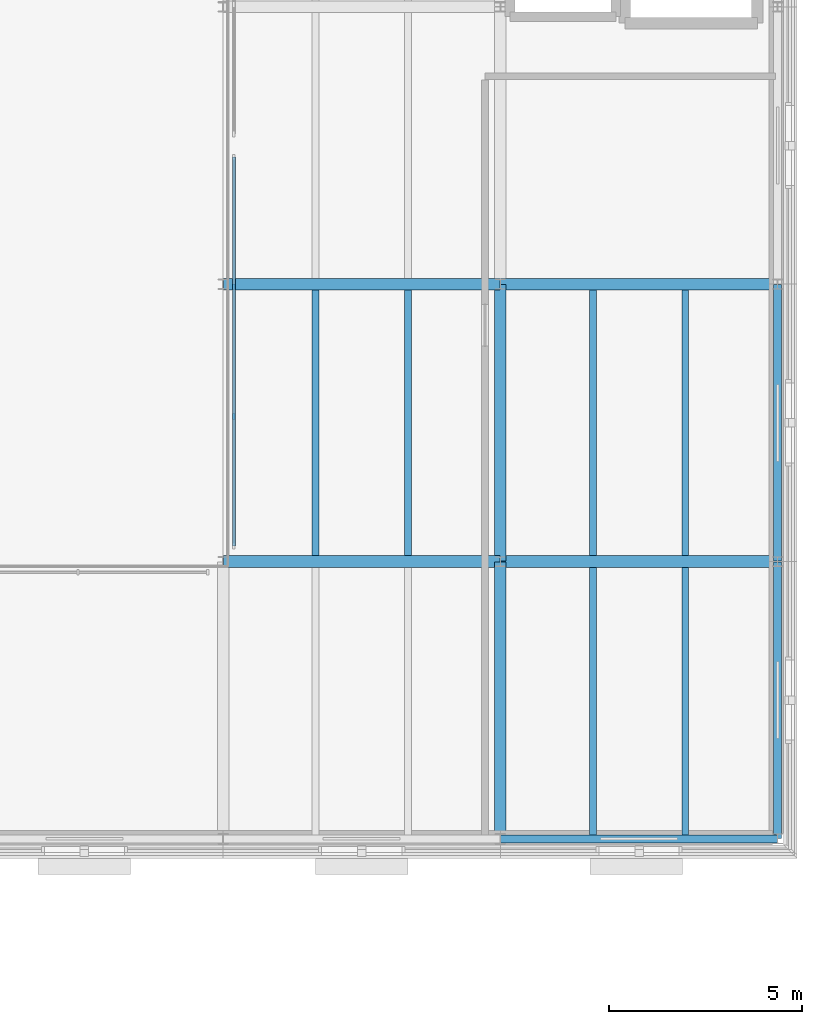
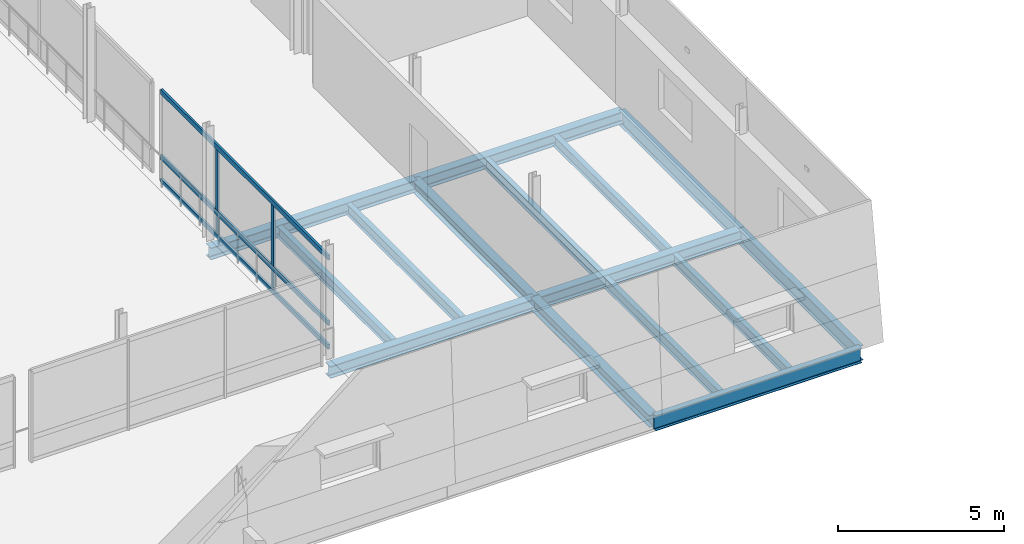
# One storey, part 39 of 115: 15 beams, 5 members, 1 element without a shape of its own.
"""IFC4 building model written with IfcOpenShell, lengths in metres."""

from ifc_helpers import new_model, si_unit, direction, frame, origin, origin_2d, place, context, subcontext, project, spatial, rectangle, i_section, extrude, material, layer, layer_set, material_profile, profile_set, type_object, element, aggregate, save


model = new_model("IFC4")

# Units and contexts
model_context = context("Model", 3, precision=1e-05, world=origin(), true_north=direction((0.0, 1.0)))
body_context = subcontext(model_context, "Body", "Model", "MODEL_VIEW")
ifc_project = project(units=[si_unit("LENGTHUNIT", "METRE"), si_unit("AREAUNIT", "SQUARE_METRE"), si_unit("VOLUMEUNIT", "CUBIC_METRE"), si_unit("PLANEANGLEUNIT", "RADIAN"), si_unit("MASSUNIT", "GRAM", prefix="KILO")], contexts=[model_context])

# Site, building, storey
site_placement = place(None, origin())
site = spatial("IfcSite", under=ifc_project, at=site_placement, CompositionType="ELEMENT")
building_placement = place(site_placement, origin())
building = spatial("IfcBuilding", under=site, at=building_placement, Name="Narikvali Park Central Library", CompositionType="ELEMENT")
storey_placement = place(building_placement, frame((0.0, 0.0, 10.199951171875)))
storey = spatial("IfcBuildingStorey", under=building, at=storey_placement, Name="L02", CompositionType="ELEMENT", Elevation=10.199951171875)

# Beams
ifc_material_1 = material(Name="Steel S355", Category="steel")
ifc_material_profile_1 = material_profile(ifc_material_1, i_section(OverallWidth=0.179931640625, OverallDepth=0.39990234375, WebThickness=0.008544921875, FlangeThickness=0.013427734375, FilletRadius=0.02099609375, at=origin_2d()), Name="IPE 400")
ifc_profile_set_1 = profile_set([ifc_material_profile_1], Name="Steel S355")
beam_type_1 = type_object("IfcBeamType", Name="Composite Floor Joist IPE400", PredefinedType="JOIST", material=ifc_profile_set_1)
for number, where, z_axis, x_axis, name in (
    (1, (153.60009765625, 86.550048828125, -0.47998046875), (0.0, 1.0, 0.0), (-1.0, 0.0, 0.0), "V3 L02 Composite Joist 1"),
    (2, (156.0, 86.550048828125, -0.47998046875), (0.0, 1.0, 0.0), (-1.0, 0.0, 0.0), "V3 L02 Composite Joist 2"),
):
    element("IfcBeam", number, at=place(storey_placement, frame(where, z_axis=z_axis, x_axis=x_axis)), inside=storey, type_object=beam_type_1, Name=name, PredefinedType="JOIST", context=body_context, shape_type="SweptSolid", body=[
        extrude(i_section(OverallWidth=0.179931640625, OverallDepth=0.39990234375, WebThickness=0.008544921875, FlangeThickness=0.013427734375, FilletRadius=0.02099609375, at=origin_2d()), origin(), (0.0, 0.0, 1.0), 6.89990234375),
    ])
for number, where, z_axis, x_axis, name in (
    (3, (160.800048828125, 79.304931640625, -0.47998046875), (0.0, 1.0, 0.0), (-1.0, 0.0, 0.0), "V3 L02 Composite Joist 1"),
    (4, (163.199951171875, 79.304931640625, -0.47998046875), (0.0, 1.0, 0.0), (-1.0, 0.0, 0.0), "V3 L02 Composite Joist 2"),
):
    element("IfcBeam", number, at=place(storey_placement, frame(where, z_axis=z_axis, x_axis=x_axis)), inside=storey, type_object=beam_type_1, Name=name, PredefinedType="JOIST", context=body_context, shape_type="SweptSolid", body=[
        extrude(i_section(OverallWidth=0.179931640625, OverallDepth=0.39990234375, WebThickness=0.008544921875, FlangeThickness=0.013427734375, FilletRadius=0.02099609375, at=origin_2d()), origin(), (0.0, 0.0, 1.0), 6.945068359375),
    ])
for number, where, z_axis, x_axis, name in (
    (5, (160.800048828125, 86.550048828125, -0.47998046875), (0.0, 1.0, 0.0), (-1.0, 0.0, 0.0), "V3 L02 Composite Joist 1"),
    (6, (163.199951171875, 86.550048828125, -0.47998046875), (0.0, 1.0, 0.0), (-1.0, 0.0, 0.0), "V3 L02 Composite Joist 2"),
):
    element("IfcBeam", number, at=place(storey_placement, frame(where, z_axis=z_axis, x_axis=x_axis)), inside=storey, type_object=beam_type_1, Name=name, PredefinedType="JOIST", context=body_context, shape_type="SweptSolid", body=[
        extrude(i_section(OverallWidth=0.179931640625, OverallDepth=0.39990234375, WebThickness=0.008544921875, FlangeThickness=0.013427734375, FilletRadius=0.02099609375, at=origin_2d()), origin(), (0.0, 0.0, 1.0), 6.89990234375),
    ])

# Curtain wall, members
ifc_material_2 = material(Name="Anodised Bronze Aluminium", Category="aluminium")
ifc_layer = layer(ifc_material_2, 0.219970703125, Name="Anodised Bronze Aluminium")
ifc_layer_set = layer_set([ifc_layer], Name="Anodised Bronze Aluminium")
curtain_wall_type = type_object("IfcCurtainWallType", Name="Atrium Tall Curtain Wall System", PredefinedType="NOTDEFINED", material=ifc_layer_set)
curtain_wall_placement = place(storey_placement, origin())
curtain_wall = element("IfcCurtainWall", 7, at=curtain_wall_placement, inside=storey, type_object=curtain_wall_type, Name="Atrium Tall Curtain Wall System CW-INT-V3-L02-E1", PredefinedType="NOTDEFINED")
ifc_material_profile_2 = material_profile(ifc_material_2, rectangle(XDim=0.074951171875, YDim=0.179931640625, at=origin_2d()), Name="CW TRANSOM 75x180")
ifc_profile_set_2 = profile_set([ifc_material_profile_2], Name="Anodised Bronze Aluminium")
member_type_1 = type_object("IfcMemberType", Name="Curtain Wall Heavy Transom 75x180", PredefinedType="USERDEFINED", material=ifc_profile_set_2)
member_1_placement = place(storey_placement, frame((151.47998046875, 86.800048828125, 0.030029296875), z_axis=(0.0, 1.0, 0.0), x_axis=(-1.0, 0.0, 0.0)))
member_1 = element("IfcMember", 8, at=member_1_placement, type_object=member_type_1, Name="CW-INT-V3-L02-E1 Transom 00", ObjectType="TRANSOM", PredefinedType="USERDEFINED", context=body_context, shape_type="SweptSolid", body=[
    extrude(rectangle(XDim=0.074951171875, YDim=0.179931640625, at=origin_2d()), origin(), (0.0, 0.0, 1.0), 10.099853515625),
])
member_2_placement = place(storey_placement, frame((151.47998046875, 86.800048828125, 0.900146484375), z_axis=(0.0, 1.0, 0.0), x_axis=(-1.0, 0.0, 0.0)))
member_2 = element("IfcMember", 9, at=member_2_placement, type_object=member_type_1, Name="CW-INT-V3-L02-E1 Transom 01", ObjectType="TRANSOM", PredefinedType="USERDEFINED", context=body_context, shape_type="SweptSolid", body=[
    extrude(rectangle(XDim=0.074951171875, YDim=0.179931640625, at=origin_2d()), origin(), (0.0, 0.0, 1.0), 10.099853515625),
])
member_3_placement = place(storey_placement, frame((151.47998046875, 86.800048828125, 3.31005859375), z_axis=(0.0, 1.0, 0.0), x_axis=(-1.0, 0.0, 0.0)))
member_3 = element("IfcMember", 10, at=member_3_placement, type_object=member_type_1, Name="CW-INT-V3-L02-E1 Transom 02", ObjectType="TRANSOM", PredefinedType="USERDEFINED", context=body_context, shape_type="SweptSolid", body=[
    extrude(rectangle(XDim=0.074951171875, YDim=0.179931640625, at=origin_2d()), origin(), (0.0, 0.0, 1.0), 10.099853515625),
])
ifc_material_profile_3 = material_profile(ifc_material_2, rectangle(XDim=0.06005859375, YDim=0.14990234375, at=origin_2d()), Name="CW MULLION 60x150")
ifc_profile_set_3 = profile_set([ifc_material_profile_3], Name="Anodised Bronze Aluminium")
member_type_2 = type_object("IfcMemberType", Name="Curtain Wall Mullion 60x150", PredefinedType="MULLION", material=ifc_profile_set_3)
member_4_placement = place(storey_placement, frame((151.47998046875, 90.166748046875, -0.010009765625), z_axis=(0.0, 0.0, 1.0), x_axis=(1.0, 0.0, 0.0)))
member_4 = element("IfcMember", 11, at=member_4_placement, type_object=member_type_2, Name="CW-INT-V3-L02-E1 Mullion 01", PredefinedType="MULLION", context=body_context, shape_type="SweptSolid", body=[
    extrude(rectangle(XDim=0.06005859375, YDim=0.14990234375, at=origin_2d()), origin(), (0.0, 0.0, 1.0), 3.35009765625),
])
member_5_placement = place(storey_placement, frame((151.47998046875, 93.533203125, -0.010009765625), z_axis=(0.0, 0.0, 1.0), x_axis=(1.0, 0.0, 0.0)))
member_5 = element("IfcMember", 12, at=member_5_placement, type_object=member_type_2, Name="CW-INT-V3-L02-E1 Mullion 02", PredefinedType="MULLION", context=body_context, shape_type="SweptSolid", body=[
    extrude(rectangle(XDim=0.06005859375, YDim=0.14990234375, at=origin_2d()), origin(), (0.0, 0.0, 1.0), 3.35009765625),
])
aggregate(curtain_wall, [member_4, member_5, member_1, member_2, member_3])

# Beams
ifc_material_profile_4 = material_profile(ifc_material_1, i_section(OverallWidth=0.2099609375, OverallDepth=0.550048828125, WebThickness=0.010986328125, FlangeThickness=0.01708984375, FilletRadius=0.02392578125, at=origin_2d()), Name="IPE 550")
ifc_profile_set_4 = profile_set([ifc_material_profile_4], Name="Steel S355")
beam_type_2 = type_object("IfcBeamType", Name="Perimeter Spandrel IPE550", PredefinedType="SPANDREL", material=ifc_profile_set_4)
for number, where, z_axis, x_axis, name in (
    (13, (158.407958984375, 79.199951171875, -0.554931640625), (1.0, 0.0, 0.0), (0.0, 1.0, 0.0), "V3 L02 Girder X"),
    (14, (165.60009765625, 79.2080078125, -0.554931640625), (0.0, 1.0, 0.0), (-1.0, 0.0, 0.0), "V3 L02 Girder Y"),
    (15, (165.60009765625, 86.407958984375, -0.554931640625), (0.0, 1.0, 0.0), (-1.0, 0.0, 0.0), "V3 L02 Girder Y"),
):
    element("IfcBeam", number, at=place(storey_placement, frame(where, z_axis=z_axis, x_axis=x_axis)), inside=storey, type_object=beam_type_2, Name=name, PredefinedType="SPANDREL", context=body_context, shape_type="SweptSolid", body=[
        extrude(i_section(OverallWidth=0.2099609375, OverallDepth=0.550048828125, WebThickness=0.010986328125, FlangeThickness=0.01708984375, FilletRadius=0.02392578125, at=origin_2d()), origin(), (0.0, 0.0, 1.0), 7.18408203125),
    ])
ifc_material_profile_5 = material_profile(ifc_material_1, i_section(OverallWidth=0.300048828125, OverallDepth=0.43994140625, WebThickness=0.011474609375, FlangeThickness=0.02099609375, FilletRadius=0.027099609375, at=origin_2d()), Name="HEA 450")
ifc_profile_set_5 = profile_set([ifc_material_profile_5], Name="Steel S355")
beam_type_3 = type_object("IfcBeamType", Name="Primary Girder HEA450", PredefinedType="BEAM", material=ifc_profile_set_5)
for number, where, z_axis, x_axis, name in (
    (16, (151.2080078125, 86.39990234375, -0.5), (1.0, 0.0, 0.0), (0.0, 1.0, 0.0), "V3 L02 Girder X"),
    (17, (158.407958984375, 86.39990234375, -0.5), (1.0, 0.0, 0.0), (0.0, 1.0, 0.0), "V3 L02 Girder X"),
    (18, (151.2080078125, 93.60009765625, -0.5), (1.0, 0.0, 0.0), (0.0, 1.0, 0.0), "V3 L02 Girder X"),
    (19, (158.407958984375, 93.60009765625, -0.5), (1.0, 0.0, 0.0), (0.0, 1.0, 0.0), "V3 L02 Girder X"),
    (20, (158.39990234375, 79.2080078125, -0.5), (0.0, 1.0, 0.0), (-1.0, 0.0, 0.0), "V3 L02 Girder Y"),
    (21, (158.39990234375, 86.407958984375, -0.5), (0.0, 1.0, 0.0), (-1.0, 0.0, 0.0), "V3 L02 Girder Y"),
):
    element("IfcBeam", number, at=place(storey_placement, frame(where, z_axis=z_axis, x_axis=x_axis)), inside=storey, type_object=beam_type_3, Name=name, PredefinedType="BEAM", context=body_context, shape_type="SweptSolid", body=[
        extrude(i_section(OverallWidth=0.300048828125, OverallDepth=0.43994140625, WebThickness=0.011474609375, FlangeThickness=0.02099609375, FilletRadius=0.027099609375, at=origin_2d()), origin(), (0.0, 0.0, 1.0), 7.18408203125),
    ])

save(model, "model.ifc")
